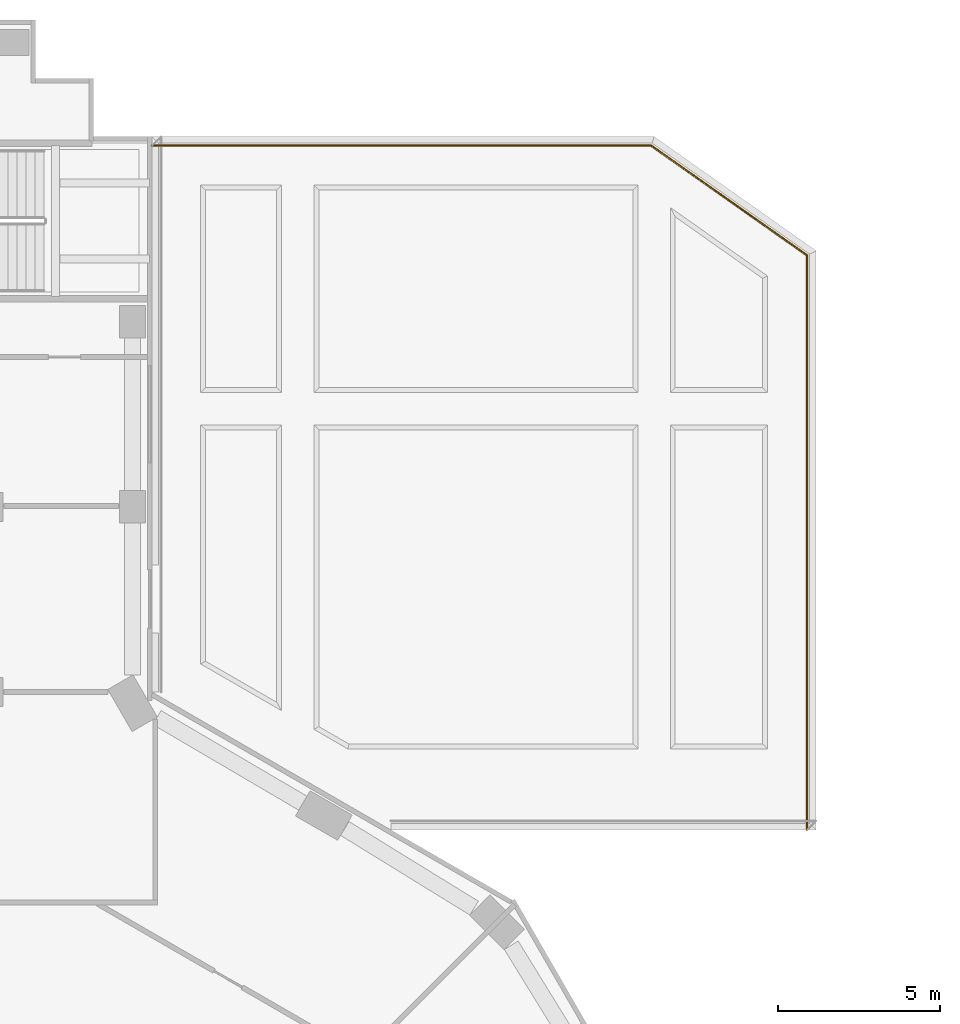
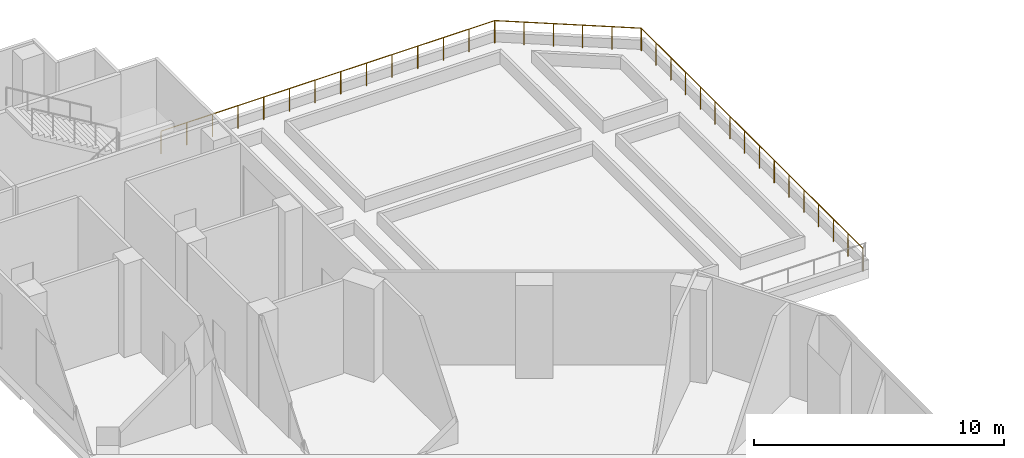
# One storey, part 24 of 24: 3 railings.
"""IFC4 building model written with IfcOpenShell, lengths in metres."""

from ifc_helpers import new_model, si_unit, direction, frame, origin, origin_2d, place, context, subcontext, project, spatial, circle, extrude, material, type_object, element, save


model = new_model("IFC4")

# Units and contexts
model_context = context("Model", 3, precision=1e-05, world=origin(), true_north=direction((0.0, 1.0)))
body_context = subcontext(model_context, "Body", "Model", "MODEL_VIEW")
ifc_project = project(units=[si_unit("LENGTHUNIT", "METRE"), si_unit("AREAUNIT", "SQUARE_METRE"), si_unit("VOLUMEUNIT", "CUBIC_METRE"), si_unit("PLANEANGLEUNIT", "RADIAN"), si_unit("MASSUNIT", "GRAM", prefix="KILO")], contexts=[model_context])

# Site, building, storey
site_placement = place(None, origin())
site = spatial("IfcSite", under=ifc_project, at=site_placement, CompositionType="ELEMENT")
building_placement = place(site_placement, origin())
building = spatial("IfcBuilding", under=site, at=building_placement, Name="Verdalira Terraces Hotel", CompositionType="ELEMENT")
storey_placement = place(building_placement, frame((0.0, 0.0, 14.0)))
storey = spatial("IfcBuildingStorey", under=building, at=storey_placement, Name="L02", CompositionType="ELEMENT", Elevation=14.0)

# Railings
ifc_material = material(Name="Clear laminated glass", Category="glass")
railing_type = type_object("IfcRailingType", Name="Terrace glass guard 1120", PredefinedType="GUARDRAIL", material=ifc_material)
railing_1_placement = place(storey_placement, frame((26.719971, 20.0, 0.0)))
element("IfcRailing", 1, at=railing_1_placement, inside=storey, type_object=railing_type, Name="Terrace guard", PredefinedType="GUARDRAIL", context=body_context, shape_type="SweptSolid", body=[
    extrude(circle(Radius=0.023926, at=origin_2d()), frame((0.0, 0.0, 1.096191), z_axis=(0.0, 1.0, 0.0), x_axis=(-1.0, 0.0, 0.0)), (0.0, 0.0, 1.0), 17.730957),
    extrude(circle(Radius=0.020996, at=origin_2d()), origin(), (0.0, 0.0, 1.0), 1.072021),
    extrude(circle(Radius=0.020996, at=origin_2d()), frame((0.0, 1.182129, 0.0)), (0.0, 0.0, 1.0), 1.072021),
    extrude(circle(Radius=0.020996, at=origin_2d()), frame((0.0, 2.364014, 0.0)), (0.0, 0.0, 1.0), 1.072021),
    extrude(circle(Radius=0.020996, at=origin_2d()), frame((0.0, 3.546143, 0.0)), (0.0, 0.0, 1.0), 1.072021),
    extrude(circle(Radius=0.020996, at=origin_2d()), frame((0.0, 4.728271, 0.0)), (0.0, 0.0, 1.0), 1.072021),
    extrude(circle(Radius=0.020996, at=origin_2d()), frame((0.0, 5.9104, 0.0)), (0.0, 0.0, 1.0), 1.072021),
    extrude(circle(Radius=0.020996, at=origin_2d()), frame((0.0, 7.092285, 0.0)), (0.0, 0.0, 1.0), 1.072021),
    extrude(circle(Radius=0.020996, at=origin_2d()), frame((0.0, 8.274414, 0.0)), (0.0, 0.0, 1.0), 1.072021),
    extrude(circle(Radius=0.020996, at=origin_2d()), frame((0.0, 9.456543, 0.0)), (0.0, 0.0, 1.0), 1.072021),
    extrude(circle(Radius=0.020996, at=origin_2d()), frame((0.0, 10.638672, 0.0)), (0.0, 0.0, 1.0), 1.072021),
    extrude(circle(Radius=0.020996, at=origin_2d()), frame((0.0, 11.820557, 0.0)), (0.0, 0.0, 1.0), 1.072021),
    extrude(circle(Radius=0.020996, at=origin_2d()), frame((0.0, 13.002686, 0.0)), (0.0, 0.0, 1.0), 1.072021),
    extrude(circle(Radius=0.020996, at=origin_2d()), frame((0.0, 14.184814, 0.0)), (0.0, 0.0, 1.0), 1.072021),
    extrude(circle(Radius=0.020996, at=origin_2d()), frame((0.0, 15.366943, 0.0)), (0.0, 0.0, 1.0), 1.072021),
    extrude(circle(Radius=0.020996, at=origin_2d()), frame((0.0, 16.548828, 0.0)), (0.0, 0.0, 1.0), 1.072021),
    extrude(circle(Radius=0.020996, at=origin_2d()), frame((0.0, 17.730957, 0.0)), (0.0, 0.0, 1.0), 1.072021),
])
railing_2_placement = place(storey_placement, frame((26.719971, 37.730957, 0.0)))
element("IfcRailing", 2, at=railing_2_placement, inside=storey, type_object=railing_type, Name="Terrace guard", PredefinedType="GUARDRAIL", context=body_context, shape_type="SweptSolid", body=[
    extrude(circle(Radius=0.023926, at=origin_2d()), frame((0.0, 0.0, 1.096191), z_axis=(-0.817393167, 0.576080212, 0.0), x_axis=(-0.576080212, -0.817393167, 0.0)), (0.0, 0.0, 1.0), 5.883057),
    extrude(circle(Radius=0.020996, at=origin_2d()), origin(), (0.0, 0.0, 1.0), 1.072021),
    extrude(circle(Radius=0.020996, at=origin_2d()), frame((-0.96167, 0.677734, 0.0)), (0.0, 0.0, 1.0), 1.072021),
    extrude(circle(Radius=0.020996, at=origin_2d()), frame((-1.923584, 1.355713, 0.0)), (0.0, 0.0, 1.0), 1.072021),
    extrude(circle(Radius=0.020996, at=origin_2d()), frame((-2.885254, 2.033447, 0.0)), (0.0, 0.0, 1.0), 1.072021),
    extrude(circle(Radius=0.020996, at=origin_2d()), frame((-3.847168, 2.711426, 0.0)), (0.0, 0.0, 1.0), 1.072021),
    extrude(circle(Radius=0.020996, at=origin_2d()), frame((-4.808838, 3.38916, 0.0)), (0.0, 0.0, 1.0), 1.072021),
])
railing_3_placement = place(storey_placement, frame((21.911133, 41.120117, 0.0)))
element("IfcRailing", 3, at=railing_3_placement, inside=storey, type_object=railing_type, Name="Terrace guard", PredefinedType="GUARDRAIL", context=body_context, shape_type="SweptSolid", body=[
    extrude(circle(Radius=0.023926, at=origin_2d()), frame((0.0, 0.0, 1.096191), z_axis=(-1.0, 0.0, 0.0), x_axis=(0.0, -1.0, 0.0)), (0.0, 0.0, 1.0), 15.411133),
    extrude(circle(Radius=0.020996, at=origin_2d()), origin(), (0.0, 0.0, 1.0), 1.072021),
    extrude(circle(Radius=0.020996, at=origin_2d()), frame((-1.185547, 0.0, 0.0)), (0.0, 0.0, 1.0), 1.072021),
    extrude(circle(Radius=0.020996, at=origin_2d()), frame((-2.37085, 0.0, 0.0)), (0.0, 0.0, 1.0), 1.072021),
    extrude(circle(Radius=0.020996, at=origin_2d()), frame((-3.556396, 0.0, 0.0)), (0.0, 0.0, 1.0), 1.072021),
    extrude(circle(Radius=0.020996, at=origin_2d()), frame((-4.741943, 0.0, 0.0)), (0.0, 0.0, 1.0), 1.072021),
    extrude(circle(Radius=0.020996, at=origin_2d()), frame((-5.927246, 0.0, 0.0)), (0.0, 0.0, 1.0), 1.072021),
    extrude(circle(Radius=0.020996, at=origin_2d()), frame((-7.112793, 0.0, 0.0)), (0.0, 0.0, 1.0), 1.072021),
    extrude(circle(Radius=0.020996, at=origin_2d()), frame((-8.29834, 0.0, 0.0)), (0.0, 0.0, 1.0), 1.072021),
    extrude(circle(Radius=0.020996, at=origin_2d()), frame((-9.483887, 0.0, 0.0)), (0.0, 0.0, 1.0), 1.072021),
    extrude(circle(Radius=0.020996, at=origin_2d()), frame((-10.669189, 0.0, 0.0)), (0.0, 0.0, 1.0), 1.072021),
    extrude(circle(Radius=0.020996, at=origin_2d()), frame((-11.854736, 0.0, 0.0)), (0.0, 0.0, 1.0), 1.072021),
    extrude(circle(Radius=0.020996, at=origin_2d()), frame((-13.040283, 0.0, 0.0)), (0.0, 0.0, 1.0), 1.072021),
    extrude(circle(Radius=0.020996, at=origin_2d()), frame((-14.225586, 0.0, 0.0)), (0.0, 0.0, 1.0), 1.072021),
    extrude(circle(Radius=0.020996, at=origin_2d()), frame((-15.411133, 0.0, 0.0)), (0.0, 0.0, 1.0), 1.072021),
])

save(model, "model.ifc")
